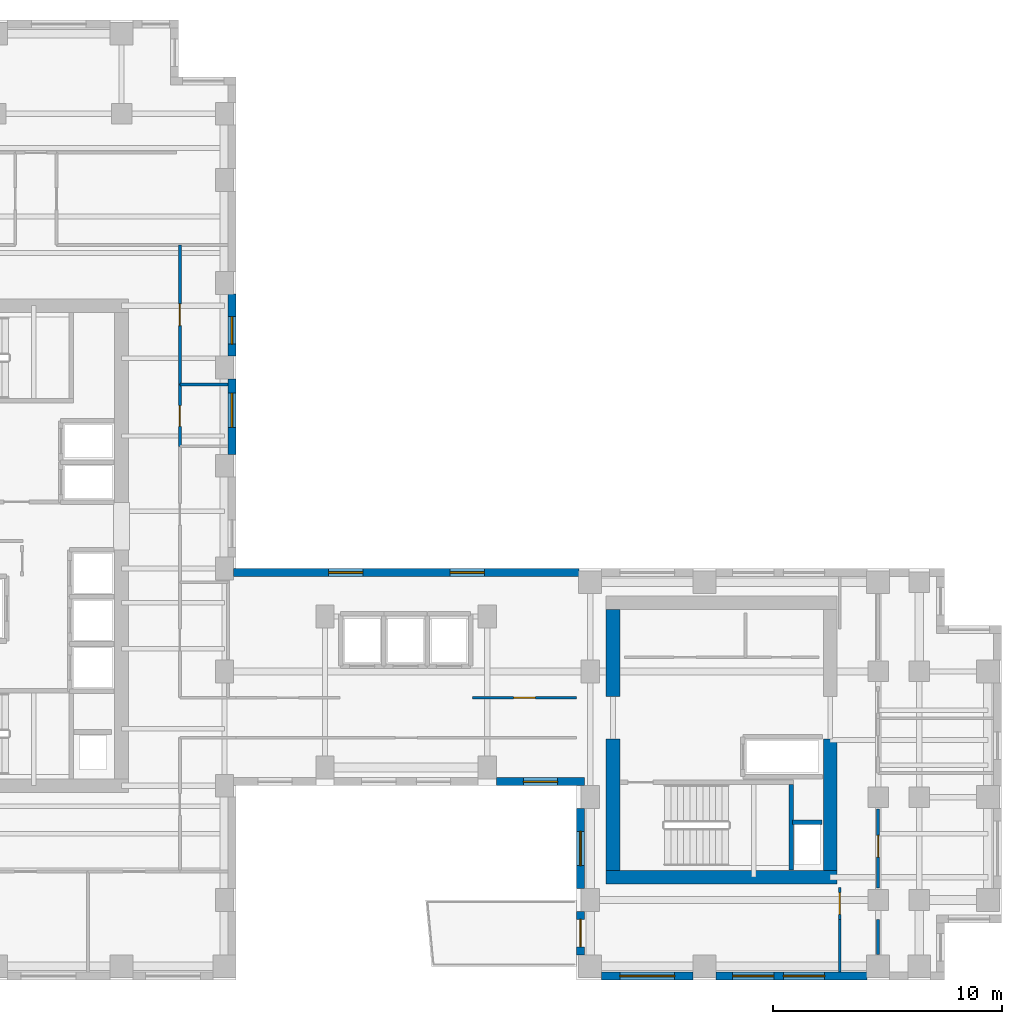
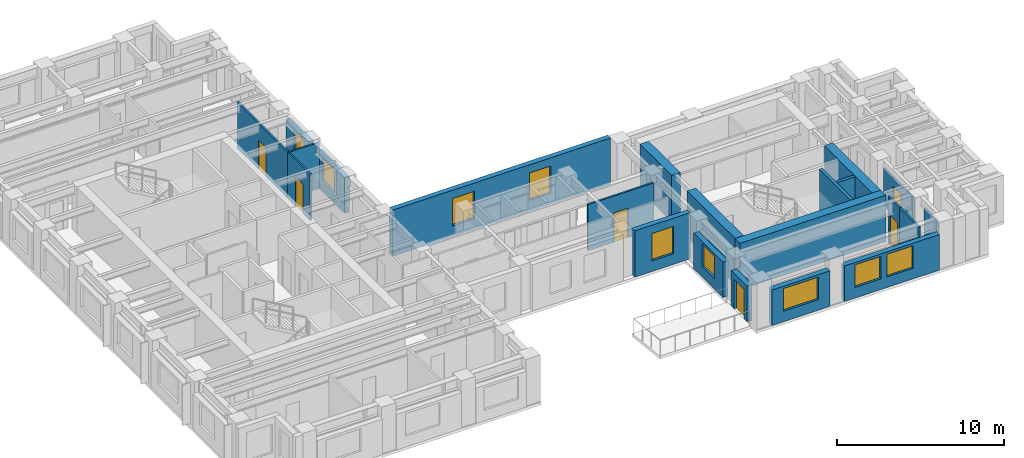
# One storey, part 6 of 12: 22 walls, 9 windows, 6 doors, 15 openings.
"""IFC4 building model written with IfcOpenShell, lengths in metres."""

from ifc_helpers import new_model, si_unit, direction, frame, frame_2d, origin, place, context, subcontext, project, spatial, rectangle, extrude, source, transform, mapped, material, layer, layer_set, type_object, element, fill, save


model = new_model("IFC4")

# Units and contexts
model_context = context("Model", 3, precision=1e-05, world=origin(), true_north=direction((0.0, 1.0)))
body_context = subcontext(model_context, "Body", "Model", "MODEL_VIEW")
ifc_project = project(units=[si_unit("LENGTHUNIT", "METRE"), si_unit("AREAUNIT", "SQUARE_METRE"), si_unit("VOLUMEUNIT", "CUBIC_METRE"), si_unit("PLANEANGLEUNIT", "RADIAN"), si_unit("MASSUNIT", "GRAM", prefix="KILO")], contexts=[model_context])

# Site, building, storey
site_placement = place(None, origin())
site = spatial("IfcSite", under=ifc_project, at=site_placement, CompositionType="ELEMENT")
building_placement = place(site_placement, origin())
building = spatial("IfcBuilding", under=site, at=building_placement, Name="Kharzan Plaza Tower", CompositionType="ELEMENT")
storey_placement = place(building_placement, frame((0.0, 0.0, 164.699951171875)))
storey = spatial("IfcBuildingStorey", under=building, at=storey_placement, Name="L44", CompositionType="ELEMENT", Elevation=164.699951171875)

# Wall, opening, window
ifc_material_1 = material(Name="Concrete C40/50", Category="concrete")
ifc_layer_1 = layer(ifc_material_1, 0.35009765625)
ifc_layer_set_1 = layer_set([ifc_layer_1], Name="Concrete C40/50")
wall_type_1 = type_object("IfcWallType", Name="WL-EXT-MAS-Z3", PredefinedType="SOLIDWALL", material=ifc_layer_set_1)
wall_1_placement = place(storey_placement, frame((30.89794921875, 8.675048828125, 0.0), z_axis=(0.0, 0.0, 1.0), x_axis=(1.0, 0.0, 0.0)))
wall_1 = element("IfcWall", 1, at=wall_1_placement, inside=storey, type_object=wall_type_1, Name="L44 Masonry-Frame Exterior Wall 28", PredefinedType="SOLIDWALL", context=body_context, shape_type="SweptSolid", body=[
    extrude(rectangle(XDim=3.85205078125, YDim=0.35009765625, at=frame_2d((1.926025390625, 0.0))), origin(), (0.0, 0.0, 1.0), 3.385009765625),
])
opening_1_placement = place(wall_1_placement, frame((1.176025390625, 0.0, 0.780029296875)))
opening_1 = element("IfcOpeningElement", 2, at=opening_1_placement, cuts=wall_1, Name="Opening W5", PredefinedType="OPENING", context=body_context, shape_type="SweptSolid", body=[
    extrude(rectangle(XDim=1.5, YDim=2.0, at=frame_2d((0.75, 1.0))), frame((0.0, 0.18505859375, 0.0), z_axis=(0.0, -1.0, 0.0), x_axis=(1.0, 0.0, 0.0)), (0.0, 0.0, 1.0), 0.3701171875),
])
ifc_material_2 = material(Name="Low-E Double Glazing", Category="glass")
window_type_1 = type_object("IfcWindowType", Name="WN-SLT-1500x2000", PartitioningType="SINGLE_PANEL", PredefinedType="WINDOW", material=ifc_material_2)
shared_shape_1 = source(origin(), body_context, "Body", "SweptSolid", [
    extrude(rectangle(XDim=1.5, YDim=2.0, at=frame_2d((0.75, 1.0))), frame((0.0, 0.030029296875, 0.0), z_axis=(0.0, -1.0, 0.0), x_axis=(1.0, 0.0, 0.0)), (0.0, 0.0, 1.0), 0.06005859375),
])
window_1_placement = place(opening_1_placement, origin())
window_1 = element("IfcWindow", 3, at=window_1_placement, inside=storey, type_object=window_type_1, Name="L44 Recessed Solar-Control Window 28-1", OverallHeight=2.0, OverallWidth=1.5, PartitioningType="SINGLE_PANEL", PredefinedType="WINDOW", context=body_context, shape_type="MappedRepresentation", body=[
    mapped(shared_shape_1, transform((0.0, 0.0, 0.0), x_axis=(1.0, 0.0, 0.0), y_axis=(0.0, 1.0, 0.0), z_axis=(0.0, 0.0, 1.0))),
])
fill(opening_1, window_1)

wall_2_placement = place(storey_placement, frame((34.574951171875, 7.501953125, 0.0), z_axis=(0.0, 0.0, 1.0), x_axis=(0.0, -1.0, 0.0)))
wall_2 = element("IfcWall", 4, at=wall_2_placement, inside=storey, type_object=wall_type_1, Name="L44 Masonry-Frame Exterior Wall 29", PredefinedType="SOLIDWALL", context=body_context, shape_type="SweptSolid", body=[
    extrude(rectangle(XDim=3.50390625, YDim=0.35009765625, at=frame_2d((1.751953125, 0.0))), origin(), (0.0, 0.0, 1.0), 2.612060546875),
])
opening_2_placement = place(wall_2_placement, frame((1.001953125, 0.0, 0.780029296875)))
opening_2 = element("IfcOpeningElement", 5, at=opening_2_placement, cuts=wall_2, Name="Opening W5", PredefinedType="OPENING", context=body_context, shape_type="SweptSolid", body=[
    extrude(rectangle(XDim=1.5, YDim=1.652099609375, at=frame_2d((0.75, 0.826171875))), frame((0.0, 0.18505859375, 0.0), z_axis=(0.0, -1.0, 0.0), x_axis=(1.0, 0.0, 0.0)), (0.0, 0.0, 1.0), 0.3701171875),
])
shared_shape_2 = source(origin(), body_context, "Body", "SweptSolid", [
    extrude(rectangle(XDim=1.5, YDim=1.652099609375, at=frame_2d((0.75, 0.826171875))), frame((0.0, 0.030029296875, 0.0), z_axis=(0.0, -1.0, 0.0), x_axis=(1.0, 0.0, 0.0)), (0.0, 0.0, 1.0), 0.06005859375),
])
window_2_placement = place(opening_2_placement, origin())
window_2 = element("IfcWindow", 6, at=window_2_placement, inside=storey, type_object=window_type_1, Name="L44 Recessed Solar-Control Window 29-1", OverallHeight=1.652099609375, OverallWidth=1.5, PartitioningType="SINGLE_PANEL", PredefinedType="WINDOW", context=body_context, shape_type="MappedRepresentation", body=[
    mapped(shared_shape_2, transform((0.0, 0.0, 0.0), x_axis=(1.0, 0.0, 0.0), y_axis=(0.0, 1.0, 0.0), z_axis=(0.0, 0.0, 1.0))),
])
fill(opening_2, window_2)

# Wall, opening, door
wall_3_placement = place(storey_placement, frame((34.574951171875, 3.001953125, 0.0), z_axis=(0.0, 0.0, 1.0), x_axis=(0.0, -1.0, 0.0)))
wall_3 = element("IfcWall", 7, at=wall_3_placement, inside=storey, type_object=wall_type_1, Name="L44 Masonry-Frame Exterior Wall 30", PredefinedType="SOLIDWALL", context=body_context, shape_type="SweptSolid", body=[
    extrude(rectangle(XDim=1.904052734375, YDim=0.35009765625, at=frame_2d((0.9521484375, 0.0))), origin(), (0.0, 0.0, 1.0), 2.612060546875),
])
opening_3_placement = place(wall_3_placement, frame((0.35205078125, 0.0, 0.0)))
opening_3 = element("IfcOpeningElement", 8, at=opening_3_placement, cuts=wall_3, Name="Opening ED3", PredefinedType="OPENING", context=body_context, shape_type="SweptSolid", body=[
    extrude(rectangle(XDim=1.199951171875, YDim=2.14990234375, at=frame_2d((0.60009765625, 1.074951171875))), frame((0.0, 0.18505859375, 0.0), z_axis=(0.0, -1.0, 0.0), x_axis=(1.0, 0.0, 0.0)), (0.0, 0.0, 1.0), 0.3701171875),
])
ifc_material_3 = material(Name="Thermally Broken Anodized Bronze Aluminium", Category="aluminium")
door_type_1 = type_object("IfcDoorType", Name="DR-EXT-TRAY-1200", OperationType="SINGLE_SWING_LEFT", PredefinedType="DOOR", material=ifc_material_3)
shared_shape_3 = source(origin(), body_context, "Body", "SweptSolid", [
    extrude(rectangle(XDim=1.199951171875, YDim=2.14990234375, at=frame_2d((0.60009765625, 1.074951171875))), frame((0.0, 0.02490234375, 0.0), z_axis=(0.0, -1.0, 0.0), x_axis=(1.0, 0.0, 0.0)), (0.0, 0.0, 1.0), 0.050048828125),
])
door_1_placement = place(opening_3_placement, frame((1.199951171875, 0.0, 0.0), z_axis=(0.0, 0.0, 1.0), x_axis=(-1.0, 0.0, 0.0)))
door_1 = element("IfcDoor", 9, at=door_1_placement, inside=storey, type_object=door_type_1, Name="L44 Cantilevered Sky-Terrace Tray Access Door", OperationType="SINGLE_SWING_LEFT", OverallHeight=2.14990234375, OverallWidth=1.199951171875, PredefinedType="DOOR", context=body_context, shape_type="MappedRepresentation", body=[
    mapped(shared_shape_3, transform((0.0, 0.0, 0.0), x_axis=(1.0, 0.0, 0.0), y_axis=(0.0, 1.0, 0.0), z_axis=(0.0, 0.0, 1.0))),
])
fill(opening_3, door_1)

# Wall, opening, window
wall_4_placement = place(storey_placement, frame((35.498046875, 0.175048828125, 0.0), z_axis=(0.0, 0.0, 1.0), x_axis=(1.0, 0.0, 0.0)))
wall_4 = element("IfcWall", 10, at=wall_4_placement, inside=storey, type_object=wall_type_1, Name="L44 Masonry-Frame Exterior Wall 31", PredefinedType="SOLIDWALL", context=body_context, shape_type="SweptSolid", body=[
    extrude(rectangle(XDim=4.00390625, YDim=0.35009765625, at=frame_2d((2.001953125, 0.0))), origin(), (0.0, 0.0, 1.0), 2.612060546875),
])
opening_4_placement = place(wall_4_placement, frame((0.802001953125, 0.0, 0.780029296875)))
opening_4 = element("IfcOpeningElement", 11, at=opening_4_placement, cuts=wall_4, Name="Opening W2", PredefinedType="OPENING", context=body_context, shape_type="SweptSolid", body=[
    extrude(rectangle(XDim=2.39990234375, YDim=1.652099609375, at=frame_2d((1.199951171875, 0.826171875))), frame((0.0, 0.18505859375, 0.0), z_axis=(0.0, -1.0, 0.0), x_axis=(1.0, 0.0, 0.0)), (0.0, 0.0, 1.0), 0.3701171875),
])
window_type_2 = type_object("IfcWindowType", Name="WN-REC-2400x2100", PartitioningType="SINGLE_PANEL", PredefinedType="WINDOW", material=ifc_material_2)
shared_shape_4 = source(origin(), body_context, "Body", "SweptSolid", [
    extrude(rectangle(XDim=2.39990234375, YDim=1.652099609375, at=frame_2d((1.199951171875, 0.826171875))), frame((0.0, 0.030029296875, 0.0), z_axis=(0.0, -1.0, 0.0), x_axis=(1.0, 0.0, 0.0)), (0.0, 0.0, 1.0), 0.06005859375),
])
window_3_placement = place(opening_4_placement, origin())
window_3 = element("IfcWindow", 12, at=window_3_placement, inside=storey, type_object=window_type_2, Name="L44 Wide Recessed Solar-Control Window 31-1", OverallHeight=1.652099609375, OverallWidth=2.39990234375, PartitioningType="SINGLE_PANEL", PredefinedType="WINDOW", context=body_context, shape_type="MappedRepresentation", body=[
    mapped(shared_shape_4, transform((0.0, 0.0, 0.0), x_axis=(1.0, 0.0, 0.0), y_axis=(0.0, 1.0, 0.0), z_axis=(0.0, 0.0, 1.0))),
])
fill(opening_4, window_3)

# Wall, openings, windows
wall_5_placement = place(storey_placement, frame((40.498046875, 0.175048828125, 0.0), z_axis=(0.0, 0.0, 1.0), x_axis=(1.0, 0.0, 0.0)))
wall_5 = element("IfcWall", 13, at=wall_5_placement, inside=storey, type_object=wall_type_1, Name="L44 Masonry-Frame Exterior Wall 32", PredefinedType="SOLIDWALL", context=body_context, shape_type="SweptSolid", body=[
    extrude(rectangle(XDim=6.60400390625, YDim=0.35009765625, at=frame_2d((3.302001953125, 0.0))), origin(), (0.0, 0.0, 1.0), 2.612060546875),
])
opening_5_placement = place(wall_5_placement, frame((0.7373046875, 0.0, 0.780029296875)))
opening_5 = element("IfcOpeningElement", 14, at=opening_5_placement, cuts=wall_5, Name="Opening W1", PredefinedType="OPENING", context=body_context, shape_type="SweptSolid", body=[
    extrude(rectangle(XDim=1.800048828125, YDim=1.652099609375, at=frame_2d((0.89990234375, 0.826171875))), frame((0.0, 0.18505859375, 0.0), z_axis=(0.0, -1.0, 0.0), x_axis=(1.0, 0.0, 0.0)), (0.0, 0.0, 1.0), 0.3701171875),
])
opening_6_placement = place(wall_5_placement, frame((2.95458984375, 0.0, 0.780029296875)))
opening_6 = element("IfcOpeningElement", 15, at=opening_6_placement, cuts=wall_5, Name="Opening W1", PredefinedType="OPENING", context=body_context, shape_type="SweptSolid", body=[
    extrude(rectangle(XDim=1.800048828125, YDim=1.652099609375, at=frame_2d((0.89990234375, 0.826171875))), frame((0.0, 0.18505859375, 0.0), z_axis=(0.0, -1.0, 0.0), x_axis=(1.0, 0.0, 0.0)), (0.0, 0.0, 1.0), 0.3701171875),
])
window_type_3 = type_object("IfcWindowType", Name="WN-REC-1800x2100", PartitioningType="SINGLE_PANEL", PredefinedType="WINDOW", material=ifc_material_2)
shared_shape_5 = source(origin(), body_context, "Body", "SweptSolid", [
    extrude(rectangle(XDim=1.800048828125, YDim=1.652099609375, at=frame_2d((0.89990234375, 0.826171875))), frame((0.0, 0.030029296875, 0.0), z_axis=(0.0, -1.0, 0.0), x_axis=(1.0, 0.0, 0.0)), (0.0, 0.0, 1.0), 0.06005859375),
])
window_4_placement = place(opening_5_placement, origin())
window_4 = element("IfcWindow", 16, at=window_4_placement, inside=storey, type_object=window_type_3, Name="L44 Recessed Solar-Control Window 32-1", OverallHeight=1.652099609375, OverallWidth=1.800048828125, PartitioningType="SINGLE_PANEL", PredefinedType="WINDOW", context=body_context, shape_type="MappedRepresentation", body=[
    mapped(shared_shape_5, transform((0.0, 0.0, 0.0), x_axis=(1.0, 0.0, 0.0), y_axis=(0.0, 1.0, 0.0), z_axis=(0.0, 0.0, 1.0))),
])
fill(opening_5, window_4)
window_5_placement = place(opening_6_placement, origin())
window_5 = element("IfcWindow", 17, at=window_5_placement, inside=storey, type_object=window_type_3, Name="L44 Recessed Solar-Control Window 32-2", OverallHeight=1.652099609375, OverallWidth=1.800048828125, PartitioningType="SINGLE_PANEL", PredefinedType="WINDOW", context=body_context, shape_type="MappedRepresentation", body=[
    mapped(shared_shape_5, transform((0.0, 0.0, 0.0), x_axis=(1.0, 0.0, 0.0), y_axis=(0.0, 1.0, 0.0), z_axis=(0.0, 0.0, 1.0))),
])
fill(opening_6, window_5)

wall_6_placement = place(storey_placement, frame((34.501953125, 17.824951171875, 0.0), z_axis=(0.0, 0.0, 1.0), x_axis=(-1.0, 0.0, 0.0)))
wall_6 = element("IfcWall", 18, at=wall_6_placement, inside=storey, type_object=wall_type_1, Name="L44 Masonry-Frame Exterior Wall 46", PredefinedType="SOLIDWALL", context=body_context, shape_type="SweptSolid", body=[
    extrude(rectangle(XDim=15.10400390625, YDim=0.35009765625, at=frame_2d((7.552001953125, 0.0))), origin(), (0.0, 0.0, 1.0), 3.385009765625),
])
opening_7_placement = place(wall_6_placement, frame((4.131103515625, 0.0, 0.780029296875)))
opening_7 = element("IfcOpeningElement", 19, at=opening_7_placement, cuts=wall_6, Name="Opening W5", PredefinedType="OPENING", context=body_context, shape_type="SweptSolid", body=[
    extrude(rectangle(XDim=1.5, YDim=2.0, at=frame_2d((0.75, 1.0))), frame((0.0, 0.18505859375, 0.0), z_axis=(0.0, -1.0, 0.0), x_axis=(1.0, 0.0, 0.0)), (0.0, 0.0, 1.0), 0.3701171875),
])
opening_8_placement = place(wall_6_placement, frame((9.4423828125, 0.0, 0.780029296875)))
opening_8 = element("IfcOpeningElement", 20, at=opening_8_placement, cuts=wall_6, Name="Opening W5", PredefinedType="OPENING", context=body_context, shape_type="SweptSolid", body=[
    extrude(rectangle(XDim=1.5, YDim=2.0, at=frame_2d((0.75, 1.0))), frame((0.0, 0.18505859375, 0.0), z_axis=(0.0, -1.0, 0.0), x_axis=(1.0, 0.0, 0.0)), (0.0, 0.0, 1.0), 0.3701171875),
])
window_6_placement = place(opening_7_placement, origin())
window_6 = element("IfcWindow", 21, at=window_6_placement, inside=storey, type_object=window_type_1, Name="L44 Recessed Solar-Control Window 46-1", OverallHeight=2.0, OverallWidth=1.5, PartitioningType="SINGLE_PANEL", PredefinedType="WINDOW", context=body_context, shape_type="MappedRepresentation", body=[
    mapped(shared_shape_1, transform((0.0, 0.0, 0.0), x_axis=(1.0, 0.0, 0.0), y_axis=(0.0, 1.0, 0.0), z_axis=(0.0, 0.0, 1.0))),
])
fill(opening_7, window_6)
window_7_placement = place(opening_8_placement, origin())
window_7 = element("IfcWindow", 22, at=window_7_placement, inside=storey, type_object=window_type_1, Name="L44 Recessed Solar-Control Window 46-2", OverallHeight=2.0, OverallWidth=1.5, PartitioningType="SINGLE_PANEL", PredefinedType="WINDOW", context=body_context, shape_type="MappedRepresentation", body=[
    mapped(shared_shape_1, transform((0.0, 0.0, 0.0), x_axis=(1.0, 0.0, 0.0), y_axis=(0.0, 1.0, 0.0), z_axis=(0.0, 0.0, 1.0))),
])
fill(opening_8, window_7)

# Wall, opening, window
wall_7_placement = place(storey_placement, frame((19.324951171875, 22.998046875, 0.0), z_axis=(0.0, 0.0, 1.0), x_axis=(0.0, 1.0, 0.0)))
wall_7 = element("IfcWall", 23, at=wall_7_placement, inside=storey, type_object=wall_type_1, Name="L44 Masonry-Frame Exterior Wall 48", PredefinedType="SOLIDWALL", context=body_context, shape_type="SweptSolid", body=[
    extrude(rectangle(XDim=3.303955078125, YDim=0.35009765625, at=frame_2d((1.65185546875, 0.0))), origin(), (0.0, 0.0, 1.0), 2.612060546875),
])
opening_9_placement = place(wall_7_placement, frame((1.180419921875, 0.0, 0.780029296875)))
opening_9 = element("IfcOpeningElement", 24, at=opening_9_placement, cuts=wall_7, Name="Opening W5", PredefinedType="OPENING", context=body_context, shape_type="SweptSolid", body=[
    extrude(rectangle(XDim=1.5, YDim=1.652099609375, at=frame_2d((0.75, 0.826171875))), frame((0.0, 0.18505859375, 0.0), z_axis=(0.0, -1.0, 0.0), x_axis=(1.0, 0.0, 0.0)), (0.0, 0.0, 1.0), 0.3701171875),
])
window_8_placement = place(opening_9_placement, origin())
window_8 = element("IfcWindow", 25, at=window_8_placement, inside=storey, type_object=window_type_1, Name="L44 Recessed Solar-Control Window 48-1", OverallHeight=1.652099609375, OverallWidth=1.5, PartitioningType="SINGLE_PANEL", PredefinedType="WINDOW", context=body_context, shape_type="MappedRepresentation", body=[
    mapped(shared_shape_2, transform((0.0, 0.0, 0.0), x_axis=(1.0, 0.0, 0.0), y_axis=(0.0, 1.0, 0.0), z_axis=(0.0, 0.0, 1.0))),
])
fill(opening_9, window_8)

wall_8_placement = place(storey_placement, frame((19.324951171875, 27.298095703125, 0.0), z_axis=(0.0, 0.0, 1.0), x_axis=(0.0, 1.0, 0.0)))
wall_8 = element("IfcWall", 26, at=wall_8_placement, inside=storey, type_object=wall_type_1, Name="L44 Masonry-Frame Exterior Wall 49", PredefinedType="SOLIDWALL", context=body_context, shape_type="SweptSolid", body=[
    extrude(rectangle(XDim=2.703857421875, YDim=0.35009765625, at=frame_2d((1.35205078125, 0.0))), origin(), (0.0, 0.0, 1.0), 2.612060546875),
])
opening_10_placement = place(wall_8_placement, frame((0.523681640625, 0.0, 0.780029296875)))
opening_10 = element("IfcOpeningElement", 27, at=opening_10_placement, cuts=wall_8, Name="Opening W3", PredefinedType="OPENING", context=body_context, shape_type="SweptSolid", body=[
    extrude(rectangle(XDim=1.199951171875, YDim=1.652099609375, at=frame_2d((0.60009765625, 0.826171875))), frame((0.0, 0.18505859375, 0.0), z_axis=(0.0, -1.0, 0.0), x_axis=(1.0, 0.0, 0.0)), (0.0, 0.0, 1.0), 0.3701171875),
])
window_type_4 = type_object("IfcWindowType", Name="WN-REC-1200x2100", PartitioningType="SINGLE_PANEL", PredefinedType="WINDOW", material=ifc_material_2)
shared_shape_6 = source(origin(), body_context, "Body", "SweptSolid", [
    extrude(rectangle(XDim=1.199951171875, YDim=1.652099609375, at=frame_2d((0.60009765625, 0.826171875))), frame((0.0, 0.030029296875, 0.0), z_axis=(0.0, -1.0, 0.0), x_axis=(1.0, 0.0, 0.0)), (0.0, 0.0, 1.0), 0.06005859375),
])
window_9_placement = place(opening_10_placement, origin())
window_9 = element("IfcWindow", 28, at=window_9_placement, inside=storey, type_object=window_type_4, Name="L44 Recessed Solar-Control Window 49-1", OverallHeight=1.652099609375, OverallWidth=1.199951171875, PartitioningType="SINGLE_PANEL", PredefinedType="WINDOW", context=body_context, shape_type="MappedRepresentation", body=[
    mapped(shared_shape_6, transform((0.0, 0.0, 0.0), x_axis=(1.0, 0.0, 0.0), y_axis=(0.0, 1.0, 0.0), z_axis=(0.0, 0.0, 1.0))),
])
fill(opening_10, window_9)

# Wall, opening, door
ifc_material_4 = material(Name="Fire-Rated Gypsum Board Partition", Category="gypsum")
ifc_layer_2 = layer(ifc_material_4, 0.125)
ifc_layer_set_2 = layer_set([ifc_layer_2], Name="Fire-Rated Gypsum Board Partition")
wall_type_2 = type_object("IfcWallType", Name="WL-INT-PART-125", PredefinedType="PARTITIONING", material=ifc_layer_set_2)
wall_9_placement = place(storey_placement, frame((17.050048828125, 26.050048828125, 0.0), z_axis=(0.0, 0.0, 1.0), x_axis=(0.0, 1.0, 0.0)))
wall_9 = element("IfcWall", 29, at=wall_9_placement, inside=storey, type_object=wall_type_2, Name="L44 Interior Partition SH-AEWN3", PredefinedType="PARTITIONING", context=body_context, shape_type="SweptSolid", body=[
    extrude(rectangle(XDim=6.099853515625, YDim=0.125, at=frame_2d((3.0498046875, 0.0))), origin(), (0.0, 0.0, 1.0), 3.385009765625),
])
opening_11_placement = place(wall_9_placement, frame((2.574951171875, 0.0, 0.0)))
opening_11 = element("IfcOpeningElement", 30, at=opening_11_placement, cuts=wall_9, Name="Opening OD1", PredefinedType="OPENING", context=body_context, shape_type="SweptSolid", body=[
    extrude(rectangle(XDim=0.949951171875, YDim=2.14990234375, at=frame_2d((0.47509765625, 1.074951171875))), frame((0.0, 0.072509765625, 0.0), z_axis=(0.0, -1.0, 0.0), x_axis=(1.0, 0.0, 0.0)), (0.0, 0.0, 1.0), 0.14501953125),
])
ifc_material_5 = material(Name="Acoustic Solid-Core Stained Oak", Category="timber")
door_type_2 = type_object("IfcDoorType", Name="DR-OFF-SINGLE", OperationType="NOTDEFINED", PredefinedType="DOOR", material=ifc_material_5)
shared_shape_7 = source(origin(), body_context, "Body", "SweptSolid", [
    extrude(rectangle(XDim=0.949951171875, YDim=2.14990234375, at=frame_2d((0.47509765625, 1.074951171875))), frame((0.0, 0.02490234375, 0.0), z_axis=(0.0, -1.0, 0.0), x_axis=(1.0, 0.0, 0.0)), (0.0, 0.0, 1.0), 0.050048828125),
])
door_2_placement = place(opening_11_placement, origin())
door_2 = element("IfcDoor", 31, at=door_2_placement, inside=storey, type_object=door_type_2, Name="L44 Staff Tea Point Door", OperationType="SINGLE_SWING_RIGHT", OverallHeight=2.14990234375, OverallWidth=0.949951171875, PredefinedType="DOOR", context=body_context, shape_type="MappedRepresentation", body=[
    mapped(shared_shape_7, transform((0.0, 0.0, 0.0), x_axis=(1.0, 0.0, 0.0), y_axis=(0.0, 1.0, 0.0), z_axis=(0.0, 0.0, 1.0))),
])
fill(opening_11, door_2)

wall_10_placement = place(storey_placement, frame((17.050048828125, 23.35009765625, 0.0), z_axis=(0.0, 0.0, 1.0), x_axis=(0.0, 1.0, 0.0)))
wall_10 = element("IfcWall", 32, at=wall_10_placement, inside=storey, type_object=wall_type_2, Name="L44 Interior Partition SH-AEWW", PredefinedType="PARTITIONING", context=body_context, shape_type="SweptSolid", body=[
    extrude(rectangle(XDim=2.699951171875, YDim=0.125, at=frame_2d((1.35009765625, 0.0))), origin(), (0.0, 0.0, 1.0), 3.385009765625),
])
opening_12_placement = place(wall_10_placement, frame((0.875, 0.0, 0.0)))
opening_12 = element("IfcOpeningElement", 33, at=opening_12_placement, cuts=wall_10, Name="Opening WD1", PredefinedType="OPENING", context=body_context, shape_type="SweptSolid", body=[
    extrude(rectangle(XDim=0.89990234375, YDim=2.14990234375, at=frame_2d((0.449951171875, 1.074951171875))), frame((0.0, 0.072509765625, 0.0), z_axis=(0.0, -1.0, 0.0), x_axis=(1.0, 0.0, 0.0)), (0.0, 0.0, 1.0), 0.14501953125),
])
ifc_material_6 = material(Name="Moisture-Resistant Fire-Rated Laminate", Category="timber")
door_type_3 = type_object("IfcDoorType", Name="DR-WC-900", OperationType="NOTDEFINED", PredefinedType="DOOR", material=ifc_material_6)
shared_shape_8 = source(origin(), body_context, "Body", "SweptSolid", [
    extrude(rectangle(XDim=0.89990234375, YDim=2.14990234375, at=frame_2d((0.449951171875, 1.074951171875))), frame((0.0, 0.02490234375, 0.0), z_axis=(0.0, -1.0, 0.0), x_axis=(1.0, 0.0, 0.0)), (0.0, 0.0, 1.0), 0.050048828125),
])
door_3_placement = place(opening_12_placement, origin())
door_3 = element("IfcDoor", 34, at=door_3_placement, inside=storey, type_object=door_type_3, Name="L44 Wing A Washroom Door", OperationType="SINGLE_SWING_LEFT", OverallHeight=2.14990234375, OverallWidth=0.89990234375, PredefinedType="DOOR", context=body_context, shape_type="MappedRepresentation", body=[
    mapped(shared_shape_8, transform((0.0, 0.0, 0.0), x_axis=(1.0, 0.0, 0.0), y_axis=(0.0, 1.0, 0.0), z_axis=(0.0, 0.0, 1.0))),
])
fill(opening_12, door_3)

wall_11_placement = place(storey_placement, frame((47.60009765625, 4.02001953125, 0.0), z_axis=(0.0, 0.0, 1.0), x_axis=(0.0, 1.0, 0.0)))
wall_11 = element("IfcWall", 35, at=wall_11_placement, inside=storey, type_object=wall_type_2, Name="L44 Interior Partition SH-B1W0", PredefinedType="PARTITIONING", context=body_context, shape_type="SweptSolid", body=[
    extrude(rectangle(XDim=3.4599609375, YDim=0.125, at=frame_2d((1.72998046875, 0.0))), origin(), (0.0, 0.0, 1.0), 2.77294921875),
])
opening_13_placement = place(wall_11_placement, frame((1.35498046875, 0.0, 0.0)))
opening_13 = element("IfcOpeningElement", 36, at=opening_13_placement, cuts=wall_11, Name="Opening OD1", PredefinedType="OPENING", context=body_context, shape_type="SweptSolid", body=[
    extrude(rectangle(XDim=0.949951171875, YDim=2.14990234375, at=frame_2d((0.47509765625, 1.074951171875))), frame((0.0, 0.072509765625, 0.0), z_axis=(0.0, -1.0, 0.0), x_axis=(1.0, 0.0, 0.0)), (0.0, 0.0, 1.0), 0.14501953125),
])
door_4_placement = place(opening_13_placement, origin())
door_4 = element("IfcDoor", 37, at=door_4_placement, inside=storey, type_object=door_type_2, Name="L44 Wing B South Studio Door", OperationType="SINGLE_SWING_LEFT", OverallHeight=2.14990234375, OverallWidth=0.949951171875, PredefinedType="DOOR", context=body_context, shape_type="MappedRepresentation", body=[
    mapped(shared_shape_7, transform((0.0, 0.0, 0.0), x_axis=(1.0, 0.0, 0.0), y_axis=(0.0, 1.0, 0.0), z_axis=(0.0, 0.0, 1.0))),
])
fill(opening_13, door_4)

wall_12_placement = place(storey_placement, frame((45.919921875, 2.64990234375, 0.0), z_axis=(0.0, 0.0, 1.0), x_axis=(0.0, 1.0, 0.0)))
wall_12 = element("IfcWall", 38, at=wall_12_placement, inside=storey, type_object=wall_type_2, Name="L44 Interior Partition SH-RBSE", PredefinedType="PARTITIONING", context=body_context, shape_type="SweptSolid", body=[
    extrude(rectangle(XDim=1.400146484375, YDim=0.125, at=frame_2d((0.7001953125, 0.0))), origin(), (0.0, 0.0, 1.0), 3.385009765625),
])
opening_14_placement = place(wall_12_placement, frame((0.22509765625, 0.0, 0.0)))
opening_14 = element("IfcOpeningElement", 39, at=opening_14_placement, cuts=wall_12, Name="Opening OD1", PredefinedType="OPENING", context=body_context, shape_type="SweptSolid", body=[
    extrude(rectangle(XDim=0.949951171875, YDim=2.14990234375, at=frame_2d((0.47509765625, 1.074951171875))), frame((0.0, 0.072509765625, 0.0), z_axis=(0.0, -1.0, 0.0), x_axis=(1.0, 0.0, 0.0)), (0.0, 0.0, 1.0), 0.14501953125),
])
door_5_placement = place(opening_14_placement, origin())
door_5 = element("IfcDoor", 40, at=door_5_placement, inside=storey, type_object=door_type_2, Name="L44 South-East Corner Office Door", OperationType="SINGLE_SWING_RIGHT", OverallHeight=2.14990234375, OverallWidth=0.949951171875, PredefinedType="DOOR", context=body_context, shape_type="MappedRepresentation", body=[
    mapped(shared_shape_7, transform((0.0, 0.0, 0.0), x_axis=(1.0, 0.0, 0.0), y_axis=(0.0, 1.0, 0.0), z_axis=(0.0, 0.0, 1.0))),
])
fill(opening_14, door_5)

wall_13_placement = place(storey_placement, frame((29.85009765625, 12.35009765625, 0.0), z_axis=(0.0, 0.0, 1.0), x_axis=(1.0, 0.0, 0.0)))
wall_13 = element("IfcWall", 41, at=wall_13_placement, inside=storey, type_object=wall_type_2, Name="L44 Interior Partition SH-SPNE1", PredefinedType="PARTITIONING", context=body_context, shape_type="SweptSolid", body=[
    extrude(rectangle(XDim=4.5498046875, YDim=0.125, at=frame_2d((2.27490234375, 0.0))), origin(), (0.0, 0.0, 1.0), 3.385009765625),
])
opening_15_placement = place(wall_13_placement, frame((1.800048828125, 0.0, 0.0)))
opening_15 = element("IfcOpeningElement", 42, at=opening_15_placement, cuts=wall_13, Name="Opening OD1", PredefinedType="OPENING", context=body_context, shape_type="SweptSolid", body=[
    extrude(rectangle(XDim=0.949951171875, YDim=2.14990234375, at=frame_2d((0.47509765625, 1.074951171875))), frame((0.0, 0.072509765625, 0.0), z_axis=(0.0, -1.0, 0.0), x_axis=(1.0, 0.0, 0.0)), (0.0, 0.0, 1.0), 0.14501953125),
])
door_6_placement = place(opening_15_placement, origin())
door_6 = element("IfcDoor", 43, at=door_6_placement, inside=storey, type_object=door_type_2, Name="L44 North-East Spine Door", OperationType="SINGLE_SWING_LEFT", OverallHeight=2.14990234375, OverallWidth=0.949951171875, PredefinedType="DOOR", context=body_context, shape_type="MappedRepresentation", body=[
    mapped(shared_shape_7, transform((0.0, 0.0, 0.0), x_axis=(1.0, 0.0, 0.0), y_axis=(0.0, 1.0, 0.0), z_axis=(0.0, 0.0, 1.0))),
])
fill(opening_15, door_6)

# Walls
shared_shape_9 = source(origin(), body_context, "Body", "SweptSolid", [
    extrude(rectangle(XDim=2.097900390625, YDim=0.125, at=frame_2d((1.048828125, 0.0))), origin(), (0.0, 0.0, 1.0), 3.385009765625),
])
wall_14_placement = place(storey_placement, frame((17.050048828125, 26.050048828125, 0.0), z_axis=(0.0, 0.0, 1.0), x_axis=(1.0, 0.0, 0.0)))
element("IfcWall", 44, at=wall_14_placement, inside=storey, type_object=wall_type_2, Name="L44 Interior Partition SH-AEH-260", PredefinedType="PARTITIONING", context=body_context, shape_type="MappedRepresentation", body=[
    mapped(shared_shape_9, transform((0.0, 0.0, 0.0), x_axis=(1.0, 0.0, 0.0), y_axis=(0.0, 1.0, 0.0), z_axis=(0.0, 0.0, 1.0))),
])
shared_shape_10 = source(origin(), body_context, "Body", "SweptSolid", [
    extrude(rectangle(XDim=1.52978515625, YDim=0.125, at=frame_2d((0.764892578125, 0.0))), origin(), (0.0, 0.0, 1.0), 2.77294921875),
])
wall_15_placement = place(storey_placement, frame((47.60009765625, 1.1201171875, 0.0), z_axis=(0.0, 0.0, 1.0), x_axis=(0.0, 1.0, 0.0)))
element("IfcWall", 45, at=wall_15_placement, inside=storey, type_object=wall_type_2, Name="L44 Interior Partition SH-B1W0S", PredefinedType="PARTITIONING", context=body_context, shape_type="MappedRepresentation", body=[
    mapped(shared_shape_10, transform((0.0, 0.0, 0.0), x_axis=(1.0, 0.0, 0.0), y_axis=(0.0, 1.0, 0.0), z_axis=(0.0, 0.0, 1.0))),
])
shared_shape_11 = source(origin(), body_context, "Body", "SweptSolid", [
    extrude(rectangle(XDim=2.2978515625, YDim=0.125, at=frame_2d((1.14892578125, 0.0))), origin(), (0.0, 0.0, 1.0), 3.385009765625),
])
wall_16_placement = place(storey_placement, frame((45.919921875, 0.35205078125, 0.0), z_axis=(0.0, 0.0, 1.0), x_axis=(0.0, 1.0, 0.0)))
element("IfcWall", 46, at=wall_16_placement, inside=storey, type_object=wall_type_2, Name="L44 Interior Partition SH-RBSE0", PredefinedType="PARTITIONING", context=body_context, shape_type="MappedRepresentation", body=[
    mapped(shared_shape_11, transform((0.0, 0.0, 0.0), x_axis=(1.0, 0.0, 0.0), y_axis=(0.0, 1.0, 0.0), z_axis=(0.0, 0.0, 1.0))),
])
ifc_layer_3 = layer(ifc_material_1, 0.199951171875)
ifc_layer_set_3 = layer_set([ifc_layer_3], Name="Concrete C40/50")
wall_type_3 = type_object("IfcWallType", Name="WL-INT-SHAFT-200", PredefinedType="PARTITIONING", material=ifc_layer_set_3)
shared_shape_12 = source(origin(), body_context, "Body", "SweptSolid", [
    extrude(rectangle(XDim=1.2998046875, YDim=0.199951171875, at=frame_2d((0.64990234375, 0.0))), origin(), (0.0, 0.0, 1.0), 3.385009765625),
])
wall_17_placement = place(storey_placement, frame((43.85009765625, 6.89990234375, 0.0), z_axis=(0.0, 0.0, 1.0), x_axis=(1.0, 0.0, 0.0)))
element("IfcWall", 47, at=wall_17_placement, inside=storey, type_object=wall_type_3, Name="L44 Interior Partition CB-RSRB-N", PredefinedType="PARTITIONING", context=body_context, shape_type="MappedRepresentation", body=[
    mapped(shared_shape_12, transform((0.0, 0.0, 0.0), x_axis=(1.0, 0.0, 0.0), y_axis=(0.0, 1.0, 0.0), z_axis=(0.0, 0.0, 1.0))),
])
ifc_material_7 = material(Name="Concrete C50/60", Category="concrete")
ifc_layer_4 = layer(ifc_material_7, 0.60009765625)
ifc_layer_set_4 = layer_set([ifc_layer_4], Name="Concrete C50/60")
wall_type_4 = type_object("IfcWallType", Name="WL-CORE-600", PredefinedType="SHEAR", material=ifc_layer_set_4)
shared_shape_13 = source(origin(), body_context, "Body", "SweptSolid", [
    extrude(rectangle(XDim=5.75, YDim=0.60009765625, at=frame_2d((2.875, 0.0))), origin(), (0.0, 0.0, 1.0), 3.400146484375),
])
for number, where, z_axis, x_axis, name in (
    (48, (45.5, 4.800048828125, 0.0), (0.0, 0.0, 1.0), (0.0, 1.0, 0.0), "L44 CORE-B east shear pier 1"),
    (49, (36.0, 4.800048828125, 0.0), (0.0, 0.0, 1.0), (0.0, 1.0, 0.0), "L44 CORE-B west shear pier 1"),
):
    element("IfcWall", number, at=place(storey_placement, frame(where, z_axis=z_axis, x_axis=x_axis)), inside=storey, type_object=wall_type_4, Name=name, PredefinedType="SHEAR", context=body_context, shape_type="MappedRepresentation", body=[
        mapped(shared_shape_13, transform((0.0, 0.0, 0.0), x_axis=(1.0, 0.0, 0.0), y_axis=(0.0, 1.0, 0.0), z_axis=(0.0, 0.0, 1.0))),
    ])
shared_shape_14 = source(origin(), body_context, "Body", "SweptSolid", [
    extrude(rectangle(XDim=3.800048828125, YDim=0.60009765625, at=frame_2d((1.89990234375, 0.0))), origin(), (0.0, 0.0, 1.0), 3.400146484375),
])
wall_18_placement = place(storey_placement, frame((36.0, 12.39990234375, 0.0), z_axis=(0.0, 0.0, 1.0), x_axis=(0.0, 1.0, 0.0)))
element("IfcWall", 50, at=wall_18_placement, inside=storey, type_object=wall_type_4, Name="L44 CORE-B west shear pier 2", PredefinedType="SHEAR", context=body_context, shape_type="MappedRepresentation", body=[
    mapped(shared_shape_14, transform((0.0, 0.0, 0.0), x_axis=(1.0, 0.0, 0.0), y_axis=(0.0, 1.0, 0.0), z_axis=(0.0, 0.0, 1.0))),
])
shared_shape_15 = source(origin(), body_context, "Body", "SweptSolid", [
    extrude(rectangle(XDim=10.10009765625, YDim=0.60009765625, at=frame_2d((5.050048828125, 0.0))), origin(), (0.0, 0.0, 1.0), 3.400146484375),
])
wall_19_placement = place(storey_placement, frame((35.699951171875, 4.5, 0.0), z_axis=(0.0, 0.0, 1.0), x_axis=(1.0, 0.0, 0.0)))
element("IfcWall", 51, at=wall_19_placement, inside=storey, type_object=wall_type_4, Name="L44 CORE-B south RC shear wall", PredefinedType="SHEAR", context=body_context, shape_type="MappedRepresentation", body=[
    mapped(shared_shape_15, transform((0.0, 0.0, 0.0), x_axis=(1.0, 0.0, 0.0), y_axis=(0.0, 1.0, 0.0), z_axis=(0.0, 0.0, 1.0))),
])
ifc_layer_5 = layer(ifc_material_7, 0.199951171875)
ifc_layer_set_5 = layer_set([ifc_layer_5], Name="Concrete C50/60")
wall_type_5 = type_object("IfcWallType", Name="WL-SHAFT-RC200", PredefinedType="SHEAR", material=ifc_layer_set_5)
shared_shape_16 = source(origin(), body_context, "Body", "SweptSolid", [
    extrude(rectangle(XDim=3.7529296875, YDim=0.199951171875, at=frame_2d((1.87646484375, 0.0))), origin(), (0.0, 0.0, 1.0), 3.400146484375),
])
wall_20_placement = place(storey_placement, frame((43.804931640625, 4.802001953125, 0.0), z_axis=(0.0, 0.0, 1.0), x_axis=(0.0, 1.0, 0.0)))
element("IfcWall", 52, at=wall_20_placement, inside=storey, type_object=wall_type_5, Name="L44 Stair ST-3 East RC Shaft Wall", PredefinedType="SHEAR", context=body_context, shape_type="MappedRepresentation", body=[
    mapped(shared_shape_16, transform((0.0, 0.0, 0.0), x_axis=(1.0, 0.0, 0.0), y_axis=(0.0, 1.0, 0.0), z_axis=(0.0, 0.0, 1.0))),
])

save(model, "model.ifc")
